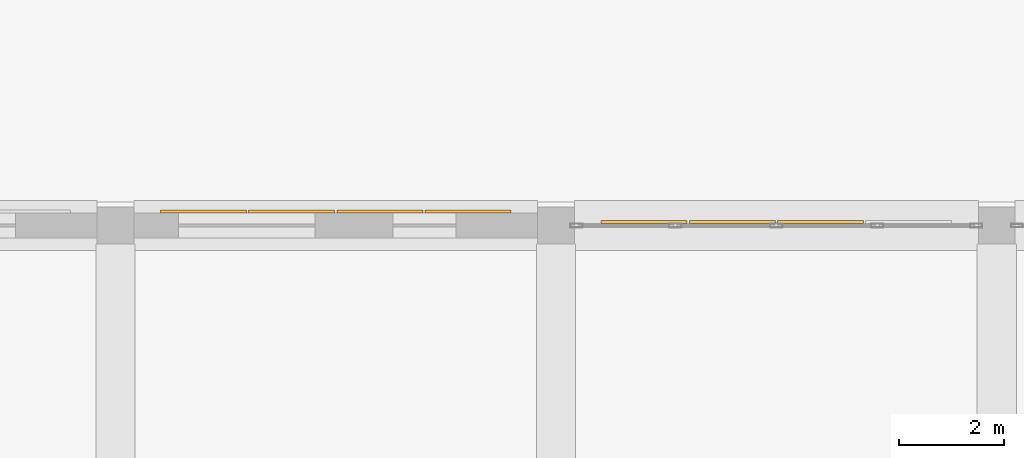
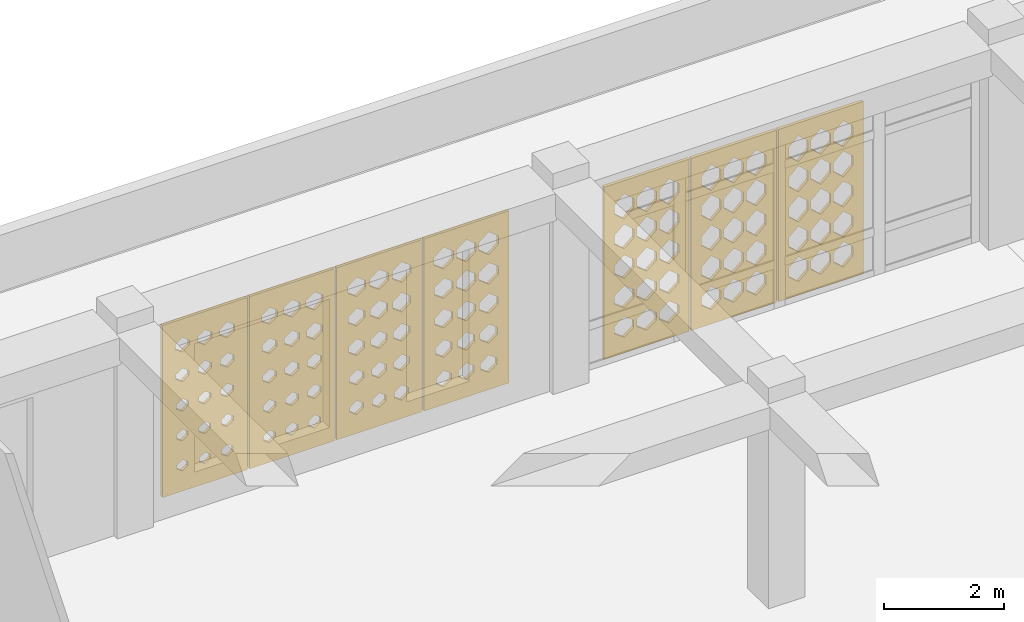
# One storey, part 91 of 100: 7 coverings.
"""IFC4 building model written with IfcOpenShell, lengths in metres."""

from ifc_helpers import new_model, si_unit, derived_unit, direction, frame, origin, place, context, subcontext, project, spatial, polyline, outline, extrude, material, layer, layer_set, type_object, element, save


model = new_model("IFC4")

# Units and contexts
model_context = context("Model", 3, precision=1e-05, world=origin(), true_north=direction((0.0, 1.0)))
body_context = subcontext(model_context, "Body", "Model", "MODEL_VIEW")
ifc_project = project(units=[si_unit("LENGTHUNIT", "METRE"), si_unit("AREAUNIT", "SQUARE_METRE"), si_unit("VOLUMEUNIT", "CUBIC_METRE"), si_unit("PLANEANGLEUNIT", "RADIAN"), si_unit("MASSUNIT", "GRAM", prefix="KILO"), derived_unit("THERMALTRANSMITTANCEUNIT", [(si_unit("POWERUNIT", "WATT"), 1), (si_unit("LENGTHUNIT", "METRE"), -2), (si_unit("THERMODYNAMICTEMPERATUREUNIT", "KELVIN"), -1)])], contexts=[model_context])

# Site, building, storey
site_placement = place(None, origin())
site = spatial("IfcSite", under=ifc_project, at=site_placement, CompositionType="ELEMENT")
building_placement = place(site_placement, origin())
building = spatial("IfcBuilding", under=site, at=building_placement, Name="Veybourne Emporium", CompositionType="ELEMENT")
storey_placement = place(building_placement, frame((0.0, 0.0, 14.39990234375)))
storey = spatial("IfcBuildingStorey", under=building, at=storey_placement, Name="L03", CompositionType="ELEMENT", Elevation=14.39990234375)

# Coverings
ifc_material = material(Name="Warm-White Perforated Aluminium Screen Alloy", Category="aluminium")
ifc_layer_1 = layer(ifc_material, 0.06005859375)
ifc_layer_set_1 = layer_set([ifc_layer_1], Name="Warm-White Perforated Aluminium Screen Alloy")
covering_type_1 = type_object("IfcCoveringType", Name="WaveScreen_SCR-01", PredefinedType="CLADDING", material=ifc_layer_set_1)
covering_1_placement = place(storey_placement, frame((45.360107421875, 101.09814453125, 1.815185546875), z_axis=(0.0, -1.0, 0.0), x_axis=(1.0, 0.0, 0.0)))
element("IfcCovering", 1, at=covering_1_placement, inside=storey, type_object=covering_type_1, Name="L03 wave-perforated aluminium screen SCR-01 (31.2)", PredefinedType="CLADDING", context=body_context, shape_type="SweptSolid", body=[
    extrude(outline(polyline([(-0.81982421875, -1.7548828125), (0.81982421875, -1.7548828125), (0.81982421875, 1.7548828125), (-0.81982421875, 1.7548828125), (-0.81982421875, -1.7548828125)]), holes=[polyline([(-0.433349609375, -1.10205078125), (-0.3203125, -1.1826171875), (-0.3203125, -1.273193359375), (-0.433349609375, -1.35400390625), (-0.54638671875, -1.273193359375), (-0.54638671875, -1.1826171875), (-0.433349609375, -1.10205078125)]), polyline([(-0.433349609375, -0.478759765625), (-0.312744140625, -0.565185546875), (-0.312744140625, -0.66259765625), (-0.433349609375, -0.749267578125), (-0.553955078125, -0.66259765625), (-0.553955078125, -0.565185546875), (-0.433349609375, -0.478759765625)]), polyline([(-0.433349609375, 0.14599609375), (-0.3037109375, 0.052490234375), (-0.3037109375, -0.052490234375), (-0.433349609375, -0.14599609375), (-0.56298828125, -0.052490234375), (-0.56298828125, 0.052490234375), (-0.433349609375, 0.14599609375)]), polyline([(-0.433349609375, 0.7724609375), (-0.293701171875, 0.671142578125), (-0.293701171875, 0.556884765625), (-0.433349609375, 0.45556640625), (-0.572998046875, 0.556884765625), (-0.572998046875, 0.671142578125), (-0.433349609375, 0.7724609375)]), polyline([(-0.433349609375, 1.39990234375), (-0.28271484375, 1.289794921875), (-0.28271484375, 1.166015625), (-0.433349609375, 1.05615234375), (-0.583984375, 1.166015625), (-0.583984375, 1.289794921875), (-0.433349609375, 1.39990234375)]), polyline([(0.0, -1.09814453125), (0.1162109375, -1.181396484375), (0.1162109375, -1.274658203125), (0.0, -1.35791015625), (-0.1162109375, -1.274658203125), (-0.1162109375, -1.181396484375), (0.0, -1.09814453125)]), polyline([(0.0, -0.47412109375), (0.12451171875, -0.563720703125), (0.12451171875, -0.664306640625), (0.0, -0.75390625), (-0.12451171875, -0.664306640625), (-0.12451171875, -0.563720703125), (0.0, -0.47412109375)]), polyline([(0.0, 0.151611328125), (0.134033203125, 0.0546875), (0.134033203125, -0.0546875), (0.0, -0.151611328125), (-0.134033203125, -0.0546875), (-0.134033203125, 0.0546875), (0.0, 0.151611328125)]), polyline([(0.0, 0.778564453125), (0.14453125, 0.673095703125), (0.14453125, 0.5546875), (0.0, 0.449462890625), (-0.14453125, 0.5546875), (-0.14453125, 0.673095703125), (0.0, 0.778564453125)]), polyline([(0.0, 1.406005859375), (0.15576171875, 1.2919921875), (0.15576171875, 1.163818359375), (0.0, 1.0498046875), (-0.15576171875, 1.163818359375), (-0.15576171875, 1.2919921875), (0.0, 1.406005859375)]), polyline([(0.433349609375, -1.09375), (0.552978515625, -1.1796875), (0.552978515625, -1.2763671875), (0.433349609375, -1.3623046875), (0.3134765625, -1.2763671875), (0.3134765625, -1.1796875), (0.433349609375, -1.09375)]), polyline([(0.433349609375, -0.468994140625), (0.56201171875, -0.561767578125), (0.56201171875, -0.666259765625), (0.433349609375, -0.759033203125), (0.3046875, -0.666259765625), (0.3046875, -0.561767578125), (0.433349609375, -0.468994140625)]), polyline([(0.433349609375, 0.1572265625), (0.572021484375, 0.056640625), (0.572021484375, -0.056640625), (0.433349609375, -0.1572265625), (0.294677734375, -0.056640625), (0.294677734375, 0.056640625), (0.433349609375, 0.1572265625)]), polyline([(0.433349609375, 0.78466796875), (0.5830078125, 0.67529296875), (0.5830078125, 0.552490234375), (0.433349609375, 0.443359375), (0.28369140625, 0.552490234375), (0.28369140625, 0.67529296875), (0.433349609375, 0.78466796875)]), polyline([(0.433349609375, 1.41259765625), (0.59423828125, 1.29443359375), (0.59423828125, 1.16162109375), (0.433349609375, 1.04345703125), (0.2724609375, 1.16162109375), (0.2724609375, 1.29443359375), (0.433349609375, 1.41259765625)])]), origin(), (0.0, 0.0, 1.0), 0.06005859375),
])
ifc_layer_2 = layer(ifc_material, 0.06005859375)
ifc_layer_set_2 = layer_set([ifc_layer_2], Name="Warm-White Perforated Aluminium Screen Alloy")
covering_type_2 = type_object("IfcCoveringType", Name="WaveScreen_SCR-02", PredefinedType="CLADDING", material=ifc_layer_set_2)
covering_2_placement = place(storey_placement, frame((47.0400390625, 101.09814453125, 1.815185546875), z_axis=(0.0, -1.0, 0.0), x_axis=(1.0, 0.0, 0.0)))
element("IfcCovering", 2, at=covering_2_placement, inside=storey, type_object=covering_type_2, Name="L03 wave-perforated aluminium screen SCR-02 (31.3)", PredefinedType="CLADDING", context=body_context, shape_type="SweptSolid", body=[
    extrude(outline(polyline([(-0.81982421875, -1.7548828125), (0.81982421875, -1.7548828125), (0.81982421875, 1.7548828125), (-0.81982421875, 1.7548828125), (-0.81982421875, -1.7548828125)]), holes=[polyline([(-0.433349609375, -1.084716796875), (-0.305908203125, -1.176513671875), (-0.305908203125, -1.279541015625), (-0.433349609375, -1.371337890625), (-0.560546875, -1.279541015625), (-0.560546875, -1.176513671875), (-0.433349609375, -1.084716796875)]), polyline([(-0.433349609375, -0.45849609375), (-0.296142578125, -0.55810546875), (-0.296142578125, -0.669921875), (-0.433349609375, -0.769287109375), (-0.570556640625, -0.669921875), (-0.570556640625, -0.55810546875), (-0.433349609375, -0.45849609375)]), polyline([(-0.433349609375, 0.168701171875), (-0.285400390625, 0.060791015625), (-0.285400390625, -0.060791015625), (-0.433349609375, -0.168701171875), (-0.581298828125, -0.060791015625), (-0.581298828125, 0.060791015625), (-0.433349609375, 0.168701171875)]), polyline([(-0.433349609375, 0.79638671875), (-0.274169921875, 0.6796875), (-0.274169921875, 0.54833984375), (-0.433349609375, 0.431640625), (-0.592529296875, 0.54833984375), (-0.592529296875, 0.6796875), (-0.433349609375, 0.79638671875)]), polyline([(-0.433349609375, 1.424560546875), (-0.262451171875, 1.298828125), (-0.262451171875, 1.1572265625), (-0.433349609375, 1.031494140625), (-0.604248046875, 1.1572265625), (-0.604248046875, 1.298828125), (-0.433349609375, 1.424560546875)]), polyline([(0.0, -1.079345703125), (0.131591796875, -1.174560546875), (0.131591796875, -1.281494140625), (0.0, -1.376708984375), (-0.131591796875, -1.281494140625), (-0.131591796875, -1.174560546875), (0.0, -1.079345703125)]), polyline([(0.0, -0.45263671875), (0.141845703125, -0.555908203125), (0.141845703125, -0.672119140625), (0.0, -0.775390625), (-0.141845703125, -0.672119140625), (-0.141845703125, -0.555908203125), (0.0, -0.45263671875)]), polyline([(0.0, 0.1748046875), (0.153076171875, 0.06298828125), (0.153076171875, -0.06298828125), (0.0, -0.1748046875), (-0.153076171875, -0.06298828125), (-0.153076171875, 0.06298828125), (0.0, 0.1748046875)]), polyline([(0.0, 0.802734375), (0.16455078125, 0.681884765625), (0.16455078125, 0.5458984375), (0.0, 0.42529296875), (-0.16455078125, 0.5458984375), (-0.16455078125, 0.681884765625), (0.0, 0.802734375)]), polyline([(0.0, 1.430908203125), (0.176025390625, 1.301025390625), (0.176025390625, 1.15478515625), (0.0, 1.02490234375), (-0.176025390625, 1.15478515625), (-0.176025390625, 1.301025390625), (0.0, 1.430908203125)]), polyline([(0.433349609375, -1.07373046875), (0.569580078125, -1.172607421875), (0.569580078125, -1.283447265625), (0.433349609375, -1.382080078125), (0.297119140625, -1.283447265625), (0.297119140625, -1.172607421875), (0.433349609375, -1.07373046875)]), polyline([(0.433349609375, -0.44677734375), (0.580078125, -0.5537109375), (0.580078125, -0.67431640625), (0.433349609375, -0.78125), (0.286376953125, -0.67431640625), (0.286376953125, -0.5537109375), (0.433349609375, -0.44677734375)]), polyline([(0.433349609375, 0.18115234375), (0.591552734375, 0.065185546875), (0.591552734375, -0.065185546875), (0.433349609375, -0.18115234375), (0.275146484375, -0.065185546875), (0.275146484375, 0.065185546875), (0.433349609375, 0.18115234375)]), polyline([(0.433349609375, 0.809326171875), (0.60302734375, 0.684326171875), (0.60302734375, 0.543701171875), (0.433349609375, 0.418701171875), (0.263671875, 0.543701171875), (0.263671875, 0.684326171875), (0.433349609375, 0.809326171875)]), polyline([(0.433349609375, 1.437255859375), (0.614501953125, 1.303466796875), (0.614501953125, 1.152587890625), (0.433349609375, 1.018798828125), (0.252197265625, 1.152587890625), (0.252197265625, 1.303466796875), (0.433349609375, 1.437255859375)])]), origin(), (0.0, 0.0, 1.0), 0.06005859375),
])
covering_3_placement = place(storey_placement, frame((52.080078125, 100.89697265625, 1.815185546875), z_axis=(0.0, -1.0, 0.0), x_axis=(1.0, 0.0, 0.0)))
element("IfcCovering", 3, at=covering_3_placement, inside=storey, type_object=covering_type_2, Name="L03 wave-perforated aluminium screen SCR-02 (33C.1)", PredefinedType="CLADDING", context=body_context, shape_type="SweptSolid", body=[
    extrude(outline(polyline([(-0.81982421875, -1.7548828125), (0.81982421875, -1.7548828125), (0.81982421875, 1.7548828125), (-0.81982421875, 1.7548828125), (-0.81982421875, -1.7548828125)]), holes=[polyline([(-0.433349609375, -1.0166015625), (-0.250244140625, -1.15185546875), (-0.250244140625, -1.30419921875), (-0.433349609375, -1.439453125), (-0.616455078125, -1.30419921875), (-0.616455078125, -1.15185546875), (-0.433349609375, -1.0166015625)]), polyline([(-0.433349609375, -0.388916015625), (-0.2470703125, -0.532958984375), (-0.2470703125, -0.695068359375), (-0.433349609375, -0.839111328125), (-0.61962890625, -0.695068359375), (-0.61962890625, -0.532958984375), (-0.433349609375, -0.388916015625)]), polyline([(-0.433349609375, 0.237548828125), (-0.2470703125, 0.08544921875), (-0.2470703125, -0.08544921875), (-0.433349609375, -0.237548828125), (-0.61962890625, -0.08544921875), (-0.61962890625, 0.08544921875), (-0.433349609375, 0.237548828125)]), polyline([(-0.433349609375, 0.86279296875), (-0.2470703125, 0.70361328125), (-0.2470703125, 0.5244140625), (-0.433349609375, 0.365234375), (-0.61962890625, 0.5244140625), (-0.61962890625, 0.70361328125), (-0.433349609375, 0.86279296875)]), polyline([(-0.433349609375, 1.486083984375), (-0.2470703125, 1.32080078125), (-0.2470703125, 1.135009765625), (-0.433349609375, 0.9697265625), (-0.61962890625, 1.135009765625), (-0.61962890625, 1.32080078125), (-0.433349609375, 1.486083984375)]), polyline([(0.0, -1.01025390625), (0.186279296875, -1.149658203125), (0.186279296875, -1.306396484375), (0.0, -1.44580078125), (-0.186279296875, -1.306396484375), (-0.186279296875, -1.149658203125), (0.0, -1.01025390625)]), polyline([(0.0, -0.38330078125), (0.186279296875, -0.531005859375), (0.186279296875, -0.697021484375), (0.0, -0.8447265625), (-0.186279296875, -0.697021484375), (-0.186279296875, -0.531005859375), (0.0, -0.38330078125)]), polyline([(0.0, 0.24267578125), (0.186279296875, 0.08740234375), (0.186279296875, -0.08740234375), (0.0, -0.24267578125), (-0.186279296875, -0.08740234375), (-0.186279296875, 0.08740234375), (0.0, 0.24267578125)]), polyline([(0.0, 0.8671875), (0.186279296875, 0.705078125), (0.186279296875, 0.52294921875), (0.0, 0.36083984375), (-0.186279296875, 0.52294921875), (-0.186279296875, 0.705078125), (0.0, 0.8671875)]), polyline([(0.0, 1.489990234375), (0.186279296875, 1.322265625), (0.186279296875, 1.1337890625), (0.0, 0.966064453125), (-0.186279296875, 1.1337890625), (-0.186279296875, 1.322265625), (0.0, 1.489990234375)]), polyline([(0.433349609375, -1.004150390625), (0.61962890625, -1.1474609375), (0.61962890625, -1.30859375), (0.433349609375, -1.451904296875), (0.2470703125, -1.30859375), (0.2470703125, -1.1474609375), (0.433349609375, -1.004150390625)]), polyline([(0.433349609375, -0.377685546875), (0.61962890625, -0.52880859375), (0.61962890625, -0.69921875), (0.433349609375, -0.850341796875), (0.2470703125, -0.69921875), (0.2470703125, -0.52880859375), (0.433349609375, -0.377685546875)]), polyline([(0.433349609375, 0.247802734375), (0.61962890625, 0.089111328125), (0.61962890625, -0.089111328125), (0.433349609375, -0.247802734375), (0.2470703125, -0.089111328125), (0.2470703125, 0.089111328125), (0.433349609375, 0.247802734375)]), polyline([(0.433349609375, 0.871337890625), (0.61962890625, 0.706787109375), (0.61962890625, 0.521240234375), (0.433349609375, 0.356689453125), (0.2470703125, 0.521240234375), (0.2470703125, 0.706787109375), (0.433349609375, 0.871337890625)]), polyline([(0.433349609375, 1.491943359375), (0.61962890625, 1.322998046875), (0.61962890625, 1.133056640625), (0.433349609375, 0.964111328125), (0.2470703125, 1.133056640625), (0.2470703125, 1.322998046875), (0.433349609375, 1.491943359375)])]), origin(), (0.0, 0.0, 1.0), 0.06005859375),
])
ifc_layer_3 = layer(ifc_material, 0.06005859375)
ifc_layer_set_3 = layer_set([ifc_layer_3], Name="Warm-White Perforated Aluminium Screen Alloy")
covering_type_3 = type_object("IfcCoveringType", Name="WaveScreen_SCR-03", PredefinedType="CLADDING", material=ifc_layer_set_3)
covering_4_placement = place(storey_placement, frame((48.719970703125, 101.09814453125, 1.815185546875), z_axis=(0.0, -1.0, 0.0), x_axis=(1.0, 0.0, 0.0)))
element("IfcCovering", 4, at=covering_4_placement, inside=storey, type_object=covering_type_3, Name="L03 wave-perforated aluminium screen SCR-03 (31.4)", PredefinedType="CLADDING", context=body_context, shape_type="SweptSolid", body=[
    extrude(outline(polyline([(-0.81982421875, -1.7548828125), (0.81982421875, -1.7548828125), (0.81982421875, 1.7548828125), (-0.81982421875, 1.7548828125), (-0.81982421875, -1.7548828125)]), holes=[polyline([(-0.433349609375, -1.062744140625), (-0.2880859375, -1.16845703125), (-0.2880859375, -1.28759765625), (-0.433349609375, -1.393310546875), (-0.57861328125, -1.28759765625), (-0.57861328125, -1.16845703125), (-0.433349609375, -1.062744140625)]), polyline([(-0.433349609375, -0.43505859375), (-0.27685546875, -0.549560546875), (-0.27685546875, -0.678466796875), (-0.433349609375, -0.79296875), (-0.58984375, -0.678466796875), (-0.58984375, -0.549560546875), (-0.433349609375, -0.43505859375)]), polyline([(-0.433349609375, 0.193115234375), (-0.265380859375, 0.069580078125), (-0.265380859375, -0.069580078125), (-0.433349609375, -0.193115234375), (-0.601318359375, -0.069580078125), (-0.601318359375, 0.069580078125), (-0.433349609375, 0.193115234375)]), polyline([(-0.433349609375, 0.8212890625), (-0.253662109375, 0.688720703125), (-0.253662109375, 0.539306640625), (-0.433349609375, 0.40673828125), (-0.61279296875, 0.539306640625), (-0.61279296875, 0.688720703125), (-0.433349609375, 0.8212890625)]), polyline([(-0.433349609375, 1.448974609375), (-0.2470703125, 1.3076171875), (-0.2470703125, 1.1484375), (-0.433349609375, 1.007080078125), (-0.61962890625, 1.1484375), (-0.61962890625, 1.3076171875), (-0.433349609375, 1.448974609375)]), polyline([(0.0, -1.056396484375), (0.150390625, -1.166259765625), (0.150390625, -1.289794921875), (0.0, -1.3994140625), (-0.150390625, -1.289794921875), (-0.150390625, -1.166259765625), (0.0, -1.056396484375)]), polyline([(0.0, -0.4287109375), (0.16162109375, -0.547119140625), (0.16162109375, -0.680908203125), (0.0, -0.79931640625), (-0.16162109375, -0.680908203125), (-0.16162109375, -0.547119140625), (0.0, -0.4287109375)]), polyline([(0.0, 0.19970703125), (0.17333984375, 0.072021484375), (0.17333984375, -0.072021484375), (0.0, -0.19970703125), (-0.17333984375, -0.072021484375), (-0.17333984375, 0.072021484375), (0.0, 0.19970703125)]), polyline([(0.0, 0.82763671875), (0.184814453125, 0.69091796875), (0.184814453125, 0.537109375), (0.0, 0.400390625), (-0.184814453125, 0.537109375), (-0.184814453125, 0.69091796875), (0.0, 0.82763671875)]), polyline([(0.0, 1.454833984375), (0.186279296875, 1.309814453125), (0.186279296875, 1.146240234375), (0.0, 1.001220703125), (-0.186279296875, 1.146240234375), (-0.186279296875, 1.309814453125), (0.0, 1.454833984375)]), polyline([(0.433349609375, -1.05029296875), (0.5888671875, -1.1640625), (0.5888671875, -1.2919921875), (0.433349609375, -1.40576171875), (0.27783203125, -1.2919921875), (0.27783203125, -1.1640625), (0.433349609375, -1.05029296875)]), polyline([(0.433349609375, -0.422119140625), (0.600341796875, -0.544921875), (0.600341796875, -0.68310546875), (0.433349609375, -0.805908203125), (0.266357421875, -0.68310546875), (0.266357421875, -0.544921875), (0.433349609375, -0.422119140625)]), polyline([(0.433349609375, 0.2060546875), (0.61181640625, 0.07421875), (0.61181640625, -0.07421875), (0.433349609375, -0.2060546875), (0.2548828125, -0.07421875), (0.2548828125, 0.07421875), (0.433349609375, 0.2060546875)]), polyline([(0.433349609375, 0.833740234375), (0.61962890625, 0.693115234375), (0.61962890625, 0.534912109375), (0.433349609375, 0.394287109375), (0.2470703125, 0.534912109375), (0.2470703125, 0.693115234375), (0.433349609375, 0.833740234375)]), polyline([(0.433349609375, 1.460693359375), (0.61962890625, 1.311767578125), (0.61962890625, 1.144287109375), (0.433349609375, 0.995361328125), (0.2470703125, 1.144287109375), (0.2470703125, 1.311767578125), (0.433349609375, 1.460693359375)])]), origin(), (0.0, 0.0, 1.0), 0.06005859375),
])
covering_5_placement = place(storey_placement, frame((53.760009765625, 100.89697265625, 1.815185546875), z_axis=(0.0, -1.0, 0.0), x_axis=(1.0, 0.0, 0.0)))
element("IfcCovering", 5, at=covering_5_placement, inside=storey, type_object=covering_type_3, Name="L03 wave-perforated aluminium screen SCR-03 (33C.2)", PredefinedType="CLADDING", context=body_context, shape_type="SweptSolid", body=[
    extrude(outline(polyline([(-0.81982421875, -1.7548828125), (0.81982421875, -1.7548828125), (0.81982421875, 1.7548828125), (-0.81982421875, 1.7548828125), (-0.81982421875, -1.7548828125)]), holes=[polyline([(-0.433349609375, -0.993408203125), (-0.2470703125, -1.1435546875), (-0.2470703125, -1.3125), (-0.433349609375, -1.462646484375), (-0.61962890625, -1.3125), (-0.61962890625, -1.1435546875), (-0.433349609375, -0.993408203125)]), polyline([(-0.433349609375, -0.367919921875), (-0.2470703125, -0.525390625), (-0.2470703125, -0.70263671875), (-0.433349609375, -0.860107421875), (-0.61962890625, -0.70263671875), (-0.61962890625, -0.525390625), (-0.433349609375, -0.367919921875)]), polyline([(-0.433349609375, 0.256103515625), (-0.2470703125, 0.09228515625), (-0.2470703125, -0.09228515625), (-0.433349609375, -0.256103515625), (-0.61962890625, -0.09228515625), (-0.61962890625, 0.09228515625), (-0.433349609375, 0.256103515625)]), polyline([(-0.433349609375, 0.8779296875), (-0.2470703125, 0.708984375), (-0.2470703125, 0.51904296875), (-0.433349609375, 0.35009765625), (-0.61962890625, 0.51904296875), (-0.61962890625, 0.708984375), (-0.433349609375, 0.8779296875)]), polyline([(-0.433349609375, 1.491943359375), (-0.2470703125, 1.322998046875), (-0.2470703125, 1.133056640625), (-0.433349609375, 0.964111328125), (-0.61962890625, 1.133056640625), (-0.61962890625, 1.322998046875), (-0.433349609375, 1.491943359375)]), polyline([(0.0, -0.988037109375), (0.186279296875, -1.1416015625), (0.186279296875, -1.314453125), (0.0, -1.468017578125), (-0.186279296875, -1.314453125), (-0.186279296875, -1.1416015625), (0.0, -0.988037109375)]), polyline([(0.0, -0.36328125), (0.186279296875, -0.523681640625), (0.186279296875, -0.704345703125), (0.0, -0.86474609375), (-0.186279296875, -0.704345703125), (-0.186279296875, -0.523681640625), (0.0, -0.36328125)]), polyline([(0.0, 0.260009765625), (0.186279296875, 0.093505859375), (0.186279296875, -0.093505859375), (0.0, -0.260009765625), (-0.186279296875, -0.093505859375), (-0.186279296875, 0.093505859375), (0.0, 0.260009765625)]), polyline([(0.0, 0.8779296875), (0.186279296875, 0.708984375), (0.186279296875, 0.51904296875), (0.0, 0.35009765625), (-0.186279296875, 0.51904296875), (-0.186279296875, 0.708984375), (0.0, 0.8779296875)]), polyline([(0.0, 1.491943359375), (0.186279296875, 1.322998046875), (0.186279296875, 1.133056640625), (0.0, 0.964111328125), (-0.186279296875, 1.133056640625), (-0.186279296875, 1.322998046875), (0.0, 1.491943359375)]), polyline([(0.433349609375, -0.98291015625), (0.61962890625, -1.139892578125), (0.61962890625, -1.316162109375), (0.433349609375, -1.47314453125), (0.2470703125, -1.316162109375), (0.2470703125, -1.139892578125), (0.433349609375, -0.98291015625)]), polyline([(0.433349609375, -0.35888671875), (0.61962890625, -0.522216796875), (0.61962890625, -0.705810546875), (0.433349609375, -0.869140625), (0.2470703125, -0.705810546875), (0.2470703125, -0.522216796875), (0.433349609375, -0.35888671875)]), polyline([(0.433349609375, 0.263427734375), (0.61962890625, 0.0947265625), (0.61962890625, -0.0947265625), (0.433349609375, -0.263427734375), (0.2470703125, -0.0947265625), (0.2470703125, 0.0947265625), (0.433349609375, 0.263427734375)]), polyline([(0.433349609375, 0.8779296875), (0.61962890625, 0.708984375), (0.61962890625, 0.51904296875), (0.433349609375, 0.35009765625), (0.2470703125, 0.51904296875), (0.2470703125, 0.708984375), (0.433349609375, 0.8779296875)]), polyline([(0.433349609375, 1.491943359375), (0.61962890625, 1.322998046875), (0.61962890625, 1.133056640625), (0.433349609375, 0.964111328125), (0.2470703125, 1.133056640625), (0.2470703125, 1.322998046875), (0.433349609375, 1.491943359375)])]), origin(), (0.0, 0.0, 1.0), 0.06005859375),
])
ifc_layer_4 = layer(ifc_material, 0.06005859375)
ifc_layer_set_4 = layer_set([ifc_layer_4], Name="Warm-White Perforated Aluminium Screen Alloy")
covering_type_4 = type_object("IfcCoveringType", Name="WaveScreen_SCR-04", PredefinedType="CLADDING", material=ifc_layer_set_4)
covering_6_placement = place(storey_placement, frame((43.679931640625, 101.09814453125, 1.815185546875), z_axis=(0.0, -1.0, 0.0), x_axis=(1.0, 0.0, 0.0)))
element("IfcCovering", 6, at=covering_6_placement, inside=storey, type_object=covering_type_4, Name="L03 wave-perforated aluminium screen SCR-04 (31.1)", PredefinedType="CLADDING", context=body_context, shape_type="SweptSolid", body=[
    extrude(outline(polyline([(-0.81982421875, -1.7548828125), (0.81982421875, -1.7548828125), (0.81982421875, 1.7548828125), (-0.81982421875, 1.7548828125), (-0.81982421875, -1.7548828125)]), holes=[polyline([(-0.433349609375, -1.113525390625), (-0.32958984375, -1.186767578125), (-0.32958984375, -1.269287109375), (-0.433349609375, -1.34228515625), (-0.536865234375, -1.269287109375), (-0.536865234375, -1.186767578125), (-0.433349609375, -1.113525390625)]), polyline([(-0.433349609375, -0.493896484375), (-0.3251953125, -0.57080078125), (-0.3251953125, -0.6572265625), (-0.433349609375, -0.734130859375), (-0.54150390625, -0.6572265625), (-0.54150390625, -0.57080078125), (-0.433349609375, -0.493896484375)]), polyline([(-0.433349609375, 0.1279296875), (-0.318603515625, 0.046142578125), (-0.318603515625, -0.046142578125), (-0.433349609375, -0.1279296875), (-0.548095703125, -0.046142578125), (-0.548095703125, 0.046142578125), (-0.433349609375, 0.1279296875)]), polyline([(-0.433349609375, 0.751708984375), (-0.310791015625, 0.66357421875), (-0.310791015625, 0.564453125), (-0.433349609375, 0.476318359375), (-0.555908203125, 0.564453125), (-0.555908203125, 0.66357421875), (-0.433349609375, 0.751708984375)]), polyline([(-0.433349609375, 1.376953125), (-0.301513671875, 1.281494140625), (-0.301513671875, 1.17431640625), (-0.433349609375, 1.0791015625), (-0.565185546875, 1.17431640625), (-0.565185546875, 1.281494140625), (-0.433349609375, 1.376953125)]), polyline([(0.0, -1.111328125), (0.10546875, -1.18603515625), (0.10546875, -1.27001953125), (0.0, -1.3447265625), (-0.10546875, -1.27001953125), (-0.10546875, -1.18603515625), (0.0, -1.111328125)]), polyline([(0.0, -0.490478515625), (0.111083984375, -0.569580078125), (0.111083984375, -0.658447265625), (0.0, -0.7373046875), (-0.111083984375, -0.658447265625), (-0.111083984375, -0.569580078125), (0.0, -0.490478515625)]), polyline([(0.0, 0.132080078125), (0.1181640625, 0.047607421875), (0.1181640625, -0.047607421875), (0.0, -0.132080078125), (-0.1181640625, -0.047607421875), (-0.1181640625, 0.047607421875), (0.0, 0.132080078125)]), polyline([(0.0, 0.756591796875), (0.126708984375, 0.665283203125), (0.126708984375, 0.562744140625), (0.0, 0.471435546875), (-0.126708984375, 0.562744140625), (-0.126708984375, 0.665283203125), (0.0, 0.756591796875)]), polyline([(0.0, 1.382568359375), (0.136474609375, 1.28369140625), (0.136474609375, 1.17236328125), (0.0, 1.073486328125), (-0.136474609375, 1.17236328125), (-0.136474609375, 1.28369140625), (0.0, 1.382568359375)]), polyline([(0.433349609375, -1.1083984375), (0.541015625, -1.18505859375), (0.541015625, -1.27099609375), (0.433349609375, -1.347412109375), (0.32568359375, -1.27099609375), (0.32568359375, -1.18505859375), (0.433349609375, -1.1083984375)]), polyline([(0.433349609375, -0.48681640625), (0.54736328125, -0.568115234375), (0.54736328125, -0.659912109375), (0.433349609375, -0.7412109375), (0.3193359375, -0.659912109375), (0.3193359375, -0.568115234375), (0.433349609375, -0.48681640625)]), polyline([(0.433349609375, 0.13671875), (0.55517578125, 0.04931640625), (0.55517578125, -0.04931640625), (0.433349609375, -0.13671875), (0.3115234375, -0.04931640625), (0.3115234375, 0.04931640625), (0.433349609375, 0.13671875)]), polyline([(0.433349609375, 0.761962890625), (0.564208984375, 0.667236328125), (0.564208984375, 0.560791015625), (0.433349609375, 0.466064453125), (0.30224609375, 0.560791015625), (0.30224609375, 0.667236328125), (0.433349609375, 0.761962890625)]), polyline([(0.433349609375, 1.388427734375), (0.57470703125, 1.285888671875), (0.57470703125, 1.170166015625), (0.433349609375, 1.067626953125), (0.2919921875, 1.170166015625), (0.2919921875, 1.285888671875), (0.433349609375, 1.388427734375)])]), origin(), (0.0, 0.0, 1.0), 0.06005859375),
])
covering_7_placement = place(storey_placement, frame((55.43994140625, 100.89697265625, 1.815185546875), z_axis=(0.0, -1.0, 0.0), x_axis=(1.0, 0.0, 0.0)))
element("IfcCovering", 7, at=covering_7_placement, inside=storey, type_object=covering_type_4, Name="L03 wave-perforated aluminium screen SCR-04 (33C.3)", PredefinedType="CLADDING", context=body_context, shape_type="SweptSolid", body=[
    extrude(outline(polyline([(-0.81982421875, -1.7548828125), (0.81982421875, -1.7548828125), (0.81982421875, 1.7548828125), (-0.81982421875, 1.7548828125), (-0.81982421875, -1.7548828125)]), holes=[polyline([(-0.433349609375, -0.97412109375), (-0.2470703125, -1.13671875), (-0.2470703125, -1.3193359375), (-0.433349609375, -1.481689453125), (-0.61962890625, -1.3193359375), (-0.61962890625, -1.13671875), (-0.433349609375, -0.97412109375)]), polyline([(-0.433349609375, -0.351806640625), (-0.2470703125, -0.51953125), (-0.2470703125, -0.70849609375), (-0.433349609375, -0.876220703125), (-0.61962890625, -0.70849609375), (-0.61962890625, -0.51953125), (-0.433349609375, -0.351806640625)]), polyline([(-0.433349609375, 0.263916015625), (-0.2470703125, 0.094970703125), (-0.2470703125, -0.094970703125), (-0.433349609375, -0.263916015625), (-0.61962890625, -0.094970703125), (-0.61962890625, 0.094970703125), (-0.433349609375, 0.263916015625)]), polyline([(-0.433349609375, 0.8779296875), (-0.2470703125, 0.708984375), (-0.2470703125, 0.51904296875), (-0.433349609375, 0.35009765625), (-0.61962890625, 0.51904296875), (-0.61962890625, 0.708984375), (-0.433349609375, 0.8779296875)]), polyline([(-0.433349609375, 1.491943359375), (-0.2470703125, 1.322998046875), (-0.2470703125, 1.133056640625), (-0.433349609375, 0.964111328125), (-0.61962890625, 1.133056640625), (-0.61962890625, 1.322998046875), (-0.433349609375, 1.491943359375)]), polyline([(0.0, -0.97021484375), (0.186279296875, -1.135009765625), (0.186279296875, -1.32080078125), (0.0, -1.48583984375), (-0.186279296875, -1.32080078125), (-0.186279296875, -1.135009765625), (0.0, -0.97021484375)]), polyline([(0.0, -0.35009765625), (0.186279296875, -0.51904296875), (0.186279296875, -0.708984375), (0.0, -0.8779296875), (-0.186279296875, -0.708984375), (-0.186279296875, -0.51904296875), (0.0, -0.35009765625)]), polyline([(0.0, 0.263916015625), (0.186279296875, 0.094970703125), (0.186279296875, -0.094970703125), (0.0, -0.263916015625), (-0.186279296875, -0.094970703125), (-0.186279296875, 0.094970703125), (0.0, 0.263916015625)]), polyline([(0.0, 0.8779296875), (0.186279296875, 0.708984375), (0.186279296875, 0.51904296875), (0.0, 0.35009765625), (-0.186279296875, 0.51904296875), (-0.186279296875, 0.708984375), (0.0, 0.8779296875)]), polyline([(0.0, 1.491943359375), (0.186279296875, 1.322998046875), (0.186279296875, 1.133056640625), (0.0, 0.964111328125), (-0.186279296875, 1.133056640625), (-0.186279296875, 1.322998046875), (0.0, 1.491943359375)]), polyline([(0.433349609375, -0.96630859375), (0.61962890625, -1.1337890625), (0.61962890625, -1.322265625), (0.433349609375, -1.489501953125), (0.2470703125, -1.322265625), (0.2470703125, -1.1337890625), (0.433349609375, -0.96630859375)]), polyline([(0.433349609375, -0.35009765625), (0.61962890625, -0.51904296875), (0.61962890625, -0.708984375), (0.433349609375, -0.8779296875), (0.2470703125, -0.708984375), (0.2470703125, -0.51904296875), (0.433349609375, -0.35009765625)]), polyline([(0.433349609375, 0.263916015625), (0.61962890625, 0.094970703125), (0.61962890625, -0.094970703125), (0.433349609375, -0.263916015625), (0.2470703125, -0.094970703125), (0.2470703125, 0.094970703125), (0.433349609375, 0.263916015625)]), polyline([(0.433349609375, 0.8779296875), (0.61962890625, 0.708984375), (0.61962890625, 0.51904296875), (0.433349609375, 0.35009765625), (0.2470703125, 0.51904296875), (0.2470703125, 0.708984375), (0.433349609375, 0.8779296875)]), polyline([(0.433349609375, 1.491943359375), (0.61962890625, 1.322998046875), (0.61962890625, 1.133056640625), (0.433349609375, 0.964111328125), (0.2470703125, 1.133056640625), (0.2470703125, 1.322998046875), (0.433349609375, 1.491943359375)])]), origin(), (0.0, 0.0, 1.0), 0.06005859375),
])

save(model, "model.ifc")
